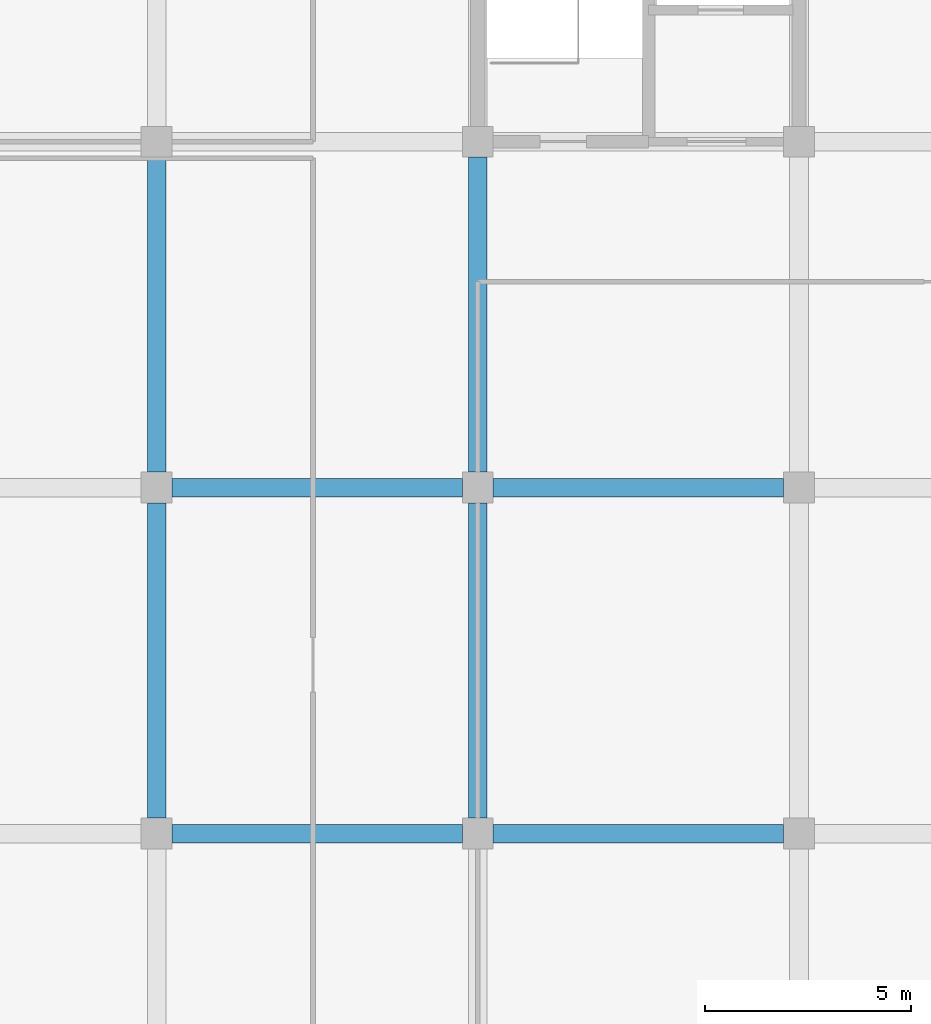
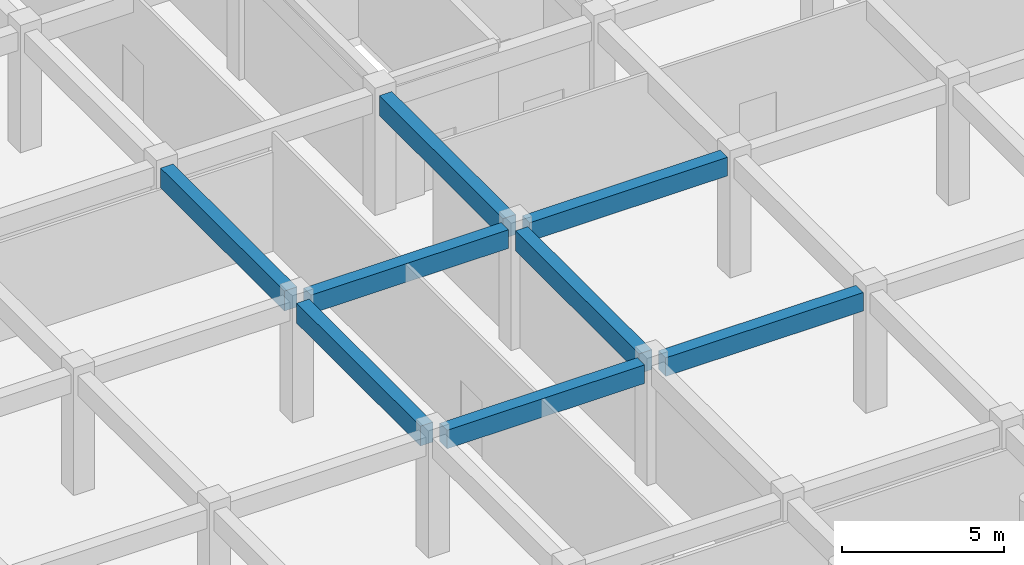
# One storey, part 19 of 167: 8 beams.
"""IFC4 building model written with IfcOpenShell, lengths in metres."""

from ifc_helpers import new_model, si_unit, direction, frame, origin, origin_2d, place, context, subcontext, project, spatial, rectangle, extrude, material, material_profile, profile_set, type_object, element, save


model = new_model("IFC4")

# Units and contexts
model_context = context("Model", 3, precision=1e-05, world=origin(), true_north=direction((0.0, 1.0)))
body_context = subcontext(model_context, "Body", "Model", "MODEL_VIEW")
ifc_project = project(units=[si_unit("LENGTHUNIT", "METRE"), si_unit("AREAUNIT", "SQUARE_METRE"), si_unit("VOLUMEUNIT", "CUBIC_METRE"), si_unit("PLANEANGLEUNIT", "RADIAN"), si_unit("MASSUNIT", "GRAM", prefix="KILO")], contexts=[model_context])

# Site, building, storey
site_placement = place(None, origin())
site = spatial("IfcSite", under=ifc_project, at=site_placement, CompositionType="ELEMENT")
building_placement = place(site_placement, origin())
building = spatial("IfcBuilding", under=site, at=building_placement, Name="Zizhar Promenade General Hospital", CompositionType="ELEMENT")
storey_placement = place(building_placement, frame((0.0, 0.0, 9.60009765625)))
storey = spatial("IfcBuildingStorey", under=building, at=storey_placement, Name="L02", CompositionType="ELEMENT", Elevation=9.60009765625)

# Beams
ifc_material_1 = material(Name="Concrete C35/45", Category="concrete")
ifc_material_profile_1 = material_profile(ifc_material_1, rectangle(XDim=0.449951171875, YDim=0.699951171875, at=origin_2d()))
ifc_profile_set_1 = profile_set([ifc_material_profile_1], Name="Concrete C35/45")
beam_type_1 = type_object("IfcBeamType", Name="BM-RC-450x700", PredefinedType="BEAM", material=ifc_profile_set_1)
for number, where, z_axis, x_axis, name in (
    (1, (15.97509765625, 33.60009765625, 4.119873046875), (1.0, 0.0, 0.0), (0.0, 1.0, 0.0), "Grid Beam X L02 (2-4)"),
    (2, (15.97509765625, 42.0, 4.119873046875), (1.0, 0.0, 0.0), (0.0, 1.0, 0.0), "Grid Beam X L02 (2-5)"),
):
    element("IfcBeam", number, at=place(storey_placement, frame(where, z_axis=z_axis, x_axis=x_axis)), inside=storey, type_object=beam_type_1, Name=name, PredefinedType="BEAM", context=body_context, shape_type="SweptSolid", body=[
        extrude(rectangle(XDim=0.449951171875, YDim=0.699951171875, at=origin_2d()), origin(), (0.0, 0.0, 1.0), 7.0498046875),
    ])
for number, where, z_axis, x_axis, name in (
    (3, (23.77490234375, 33.60009765625, 4.119873046875), (1.0, 0.0, 0.0), (0.0, 1.0, 0.0), "Grid Beam X L02 (3-4)"),
    (4, (23.77490234375, 42.0, 4.119873046875), (1.0, 0.0, 0.0), (0.0, 1.0, 0.0), "Grid Beam X L02 (3-5)"),
):
    element("IfcBeam", number, at=place(storey_placement, frame(where, z_axis=z_axis, x_axis=x_axis)), inside=storey, type_object=beam_type_1, Name=name, PredefinedType="BEAM", context=body_context, shape_type="SweptSolid", body=[
        extrude(rectangle(XDim=0.449951171875, YDim=0.699951171875, at=origin_2d()), origin(), (0.0, 0.0, 1.0), 7.050048828125),
    ])
ifc_material_2 = material(Name="Concrete C35/45", Category="concrete")
ifc_material_profile_2 = material_profile(ifc_material_2, rectangle(XDim=0.449951171875, YDim=0.75, at=origin_2d()))
ifc_profile_set_2 = profile_set([ifc_material_profile_2], Name="Concrete C35/45")
beam_type_2 = type_object("IfcBeamType", Name="BM-RC-450x750", PredefinedType="BEAM", material=ifc_profile_set_2)
for number, where, z_axis, x_axis, name in (
    (5, (15.60009765625, 33.97509765625, 4.094970703125), (0.0, 1.0, 0.0), (-1.0, 0.0, 0.0), "Grid Beam Y L02 (2-4)"),
    (6, (15.60009765625, 42.375, 4.094970703125), (0.0, 1.0, 0.0), (-1.0, 0.0, 0.0), "Grid Beam Y L02 (2-5)"),
    (7, (23.39990234375, 33.97509765625, 4.094970703125), (0.0, 1.0, 0.0), (-1.0, 0.0, 0.0), "Grid Beam Y L02 (3-4)"),
    (8, (23.39990234375, 42.375, 4.094970703125), (0.0, 1.0, 0.0), (-1.0, 0.0, 0.0), "Grid Beam Y L02 (3-5)"),
):
    element("IfcBeam", number, at=place(storey_placement, frame(where, z_axis=z_axis, x_axis=x_axis)), inside=storey, type_object=beam_type_2, Name=name, PredefinedType="BEAM", context=body_context, shape_type="SweptSolid", body=[
        extrude(rectangle(XDim=0.449951171875, YDim=0.75, at=origin_2d()), origin(), (0.0, 0.0, 1.0), 7.64990234375),
    ])

save(model, "model.ifc")
